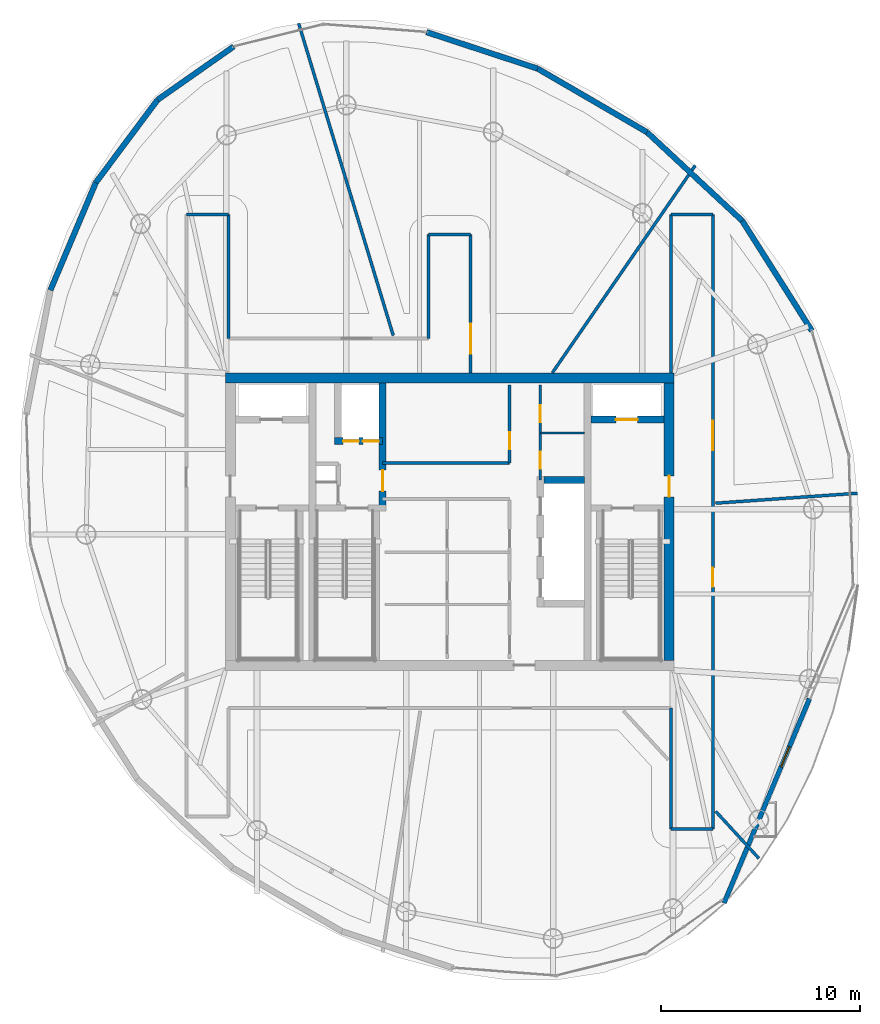
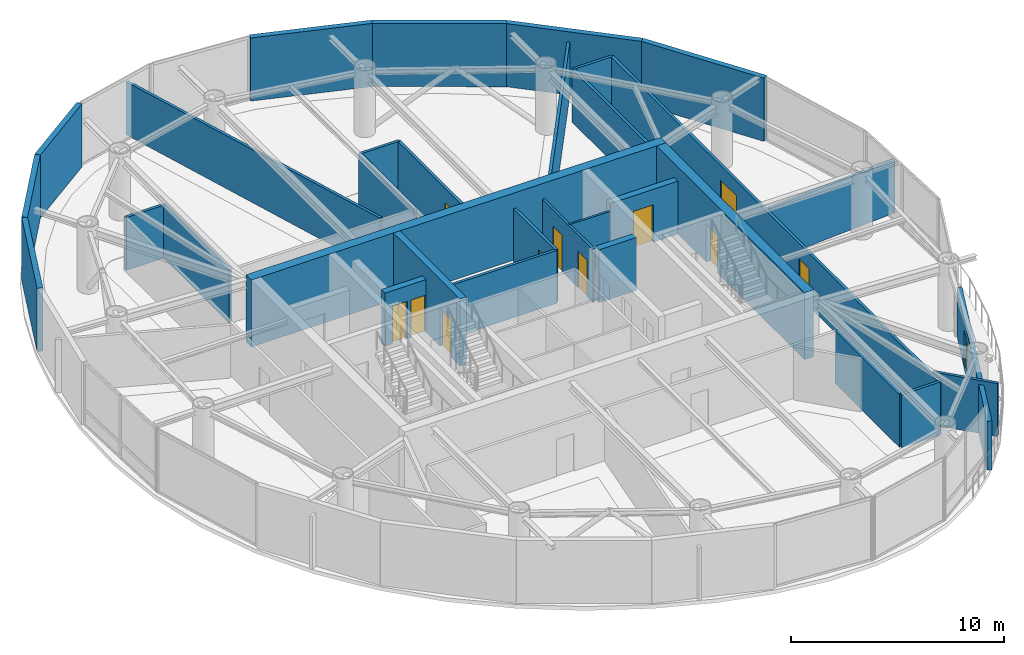
# One storey, part 18 of 23: 32 walls, 12 doors, 12 openings.
"""IFC4 building model written with IfcOpenShell, lengths in metres."""

from ifc_helpers import new_model, si_unit, direction, frame, frame_2d, origin, place, context, subcontext, project, spatial, rectangle, extrude, material, layer, layer_set, type_object, element, fill, save


model = new_model("IFC4")

# Units and contexts
model_context = context("Model", 3, precision=1e-05, world=origin(), true_north=direction((0.0, 1.0)))
body_context = subcontext(model_context, "Body", "Model", "MODEL_VIEW")
ifc_project = project(units=[si_unit("LENGTHUNIT", "METRE"), si_unit("AREAUNIT", "SQUARE_METRE"), si_unit("VOLUMEUNIT", "CUBIC_METRE"), si_unit("PLANEANGLEUNIT", "RADIAN"), si_unit("MASSUNIT", "GRAM", prefix="KILO")], contexts=[model_context])

# Site, building, storey
site_placement = place(None, origin())
site = spatial("IfcSite", under=ifc_project, at=site_placement, CompositionType="ELEMENT")
building_placement = place(site_placement, origin())
building = spatial("IfcBuilding", under=site, at=building_placement, Name="Bramvorn Convention Spire", CompositionType="ELEMENT")
storey_placement = place(building_placement, frame((0.0, 0.0, 295.949951171875)))
storey = spatial("IfcBuildingStorey", under=building, at=storey_placement, Name="L75", CompositionType="ELEMENT", Elevation=295.949951171875)

# Wall
ifc_material_1 = material(Name="Concrete C50/60", Category="concrete")
ifc_layer_1 = layer(ifc_material_1, 0.5)
ifc_layer_set_1 = layer_set([ifc_layer_1], Name="Concrete C50/60 - WL-CORE-500")
wall_type_1 = type_object("IfcWallType", Name="WL-CORE-500", PredefinedType="SHEAR", material=ifc_layer_set_1)
wall_1_placement = place(storey_placement, frame((26.75, 33.199951171875, 0.0), z_axis=(0.0, 0.0, 1.0), x_axis=(1.0, 0.0, 0.0)))
element("IfcWall", 1, at=wall_1_placement, inside=storey, type_object=wall_type_1, Name="L75 North RC core shear wall", PredefinedType="SHEAR", context=body_context, shape_type="SweptSolid", body=[
    extrude(rectangle(XDim=22.5, YDim=0.5, at=frame_2d((11.25, 0.0))), origin(), (0.0, 0.0, 1.0), 3.85009765625),
])

# Wall, opening, door
wall_2_placement = place(storey_placement, frame((49.0, 19.050048828125, 0.0), z_axis=(0.0, 0.0, 1.0), x_axis=(0.0, 1.0, 0.0)))
wall_2 = element("IfcWall", 2, at=wall_2_placement, inside=storey, type_object=wall_type_1, Name="L75 East RC core shear wall", PredefinedType="SHEAR", context=body_context, shape_type="SweptSolid", body=[
    extrude(rectangle(XDim=13.89990234375, YDim=0.5, at=frame_2d((6.949951171875, 0.0))), origin(), (0.0, 0.0, 1.0), 3.85009765625),
])
opening_1_placement = place(wall_2_placement, frame((8.199951171875, 0.0, 0.0)))
opening_1 = element("IfcOpeningElement", 3, at=opening_1_placement, cuts=wall_2, Name="Opening DL-105", PredefinedType="OPENING", context=body_context, shape_type="SweptSolid", body=[
    extrude(rectangle(XDim=1.050048828125, YDim=2.14990234375, at=frame_2d((0.52490234375, 1.074951171875))), frame((0.0, 0.260009765625, 0.0), z_axis=(0.0, -1.0, 0.0), x_axis=(1.0, 0.0, 0.0)), (0.0, 0.0, 1.0), 0.52001953125),
])
ifc_material_2 = material(Name="Smoke-Sealed Fire Lobby Timber-Core Door", Category="wood")
door_type_1 = type_object("IfcDoorType", Name="DR-LOBBY-1050", OperationType="NOTDEFINED", PredefinedType="DOOR", material=ifc_material_2)
door_1_placement = place(opening_1_placement, origin())
door_1 = element("IfcDoor", 4, at=door_1_placement, inside=storey, type_object=door_type_1, Name="L75 East Firefighting Lobby corridor door", OperationType="SINGLE_SWING_LEFT", OverallHeight=2.14990234375, OverallWidth=1.050048828125, PredefinedType="DOOR", context=body_context, shape_type="SweptSolid", body=[
    extrude(rectangle(XDim=1.050048828125, YDim=2.14990234375, at=frame_2d((0.52490234375, 1.074951171875))), frame((0.0, 0.02490234375, 0.0), z_axis=(0.0, -1.0, 0.0), x_axis=(1.0, 0.0, 0.0)), (0.0, 0.0, 1.0), 0.050048828125),
])
fill(opening_1, door_1)

ifc_layer_2 = layer(ifc_material_1, 0.35009765625)
ifc_layer_set_2 = layer_set([ifc_layer_2], Name="Concrete C50/60 - WL-CORE-INT-350")
wall_type_2 = type_object("IfcWallType", Name="WL-CORE-INT-350", PredefinedType="SHEAR", material=ifc_layer_set_2)
wall_3_placement = place(storey_placement, frame((45.080078125, 31.1201171875, 0.0), z_axis=(0.0, 0.0, 1.0), x_axis=(1.0, 0.0, 0.0)))
wall_3 = element("IfcWall", 5, at=wall_3_placement, inside=storey, type_object=wall_type_2, Name="L75 FE2 shaft front wall", PredefinedType="SHEAR", context=body_context, shape_type="SweptSolid", body=[
    extrude(rectangle(XDim=3.669921875, YDim=0.35009765625, at=frame_2d((1.8349609375, 0.0))), origin(), (0.0, 0.0, 1.0), 3.0400390625),
])
opening_2_placement = place(wall_3_placement, frame((1.25, 0.0, 0.0)))
opening_2 = element("IfcOpeningElement", 6, at=opening_2_placement, cuts=wall_3, Name="Opening LD-110", PredefinedType="OPENING", context=body_context, shape_type="SweptSolid", body=[
    extrude(rectangle(XDim=1.10009765625, YDim=2.14990234375, at=frame_2d((0.550048828125, 1.074951171875))), frame((0.0, 0.18505859375, 0.0), z_axis=(0.0, -1.0, 0.0), x_axis=(1.0, 0.0, 0.0)), (0.0, 0.0, 1.0), 0.3701171875),
])
ifc_material_3 = material(Name="Firefighting & Service Lift Sliding Landing Door", Category="steel")
door_type_2 = type_object("IfcDoorType", Name="DR-LIFT-LD-1100", OperationType="NOTDEFINED", PredefinedType="DOOR", material=ifc_material_3)
door_2_placement = place(opening_2_placement, origin())
door_2 = element("IfcDoor", 7, at=door_2_placement, inside=storey, type_object=door_type_2, Name="L75 Lift FE2 Sliding Landing Door", OperationType="SLIDING_TO_LEFT", OverallHeight=2.14990234375, OverallWidth=1.10009765625, PredefinedType="DOOR", context=body_context, shape_type="SweptSolid", body=[
    extrude(rectangle(XDim=1.10009765625, YDim=2.14990234375, at=frame_2d((0.550048828125, 1.074951171875))), frame((0.0, 0.02490234375, 0.0), z_axis=(0.0, -1.0, 0.0), x_axis=(1.0, 0.0, 0.0)), (0.0, 0.0, 1.0), 0.050048828125),
])
fill(opening_2, door_2)

wall_4_placement = place(storey_placement, frame((34.639892578125, 26.68994140625, 0.0), z_axis=(0.0, 0.0, 1.0), x_axis=(0.0, 1.0, 0.0)))
wall_4 = element("IfcWall", 8, at=wall_4_placement, inside=storey, type_object=wall_type_2, Name="L75 SV east core shaft wall", PredefinedType="SHEAR", context=body_context, shape_type="SweptSolid", body=[
    extrude(rectangle(XDim=6.260009765625, YDim=0.35009765625, at=frame_2d((3.1298828125, 0.0))), origin(), (0.0, 0.0, 1.0), 3.85009765625),
])
opening_3_placement = place(wall_4_placement, frame((0.85009765625, 0.0, 0.0)))
opening_3 = element("IfcOpeningElement", 9, at=opening_3_placement, cuts=wall_4, Name="Opening DL-105", PredefinedType="OPENING", context=body_context, shape_type="SweptSolid", body=[
    extrude(rectangle(XDim=1.050048828125, YDim=2.14990234375, at=frame_2d((0.52490234375, 1.074951171875))), frame((0.0, 0.18505859375, 0.0), z_axis=(0.0, -1.0, 0.0), x_axis=(1.0, 0.0, 0.0)), (0.0, 0.0, 1.0), 0.3701171875),
])
door_3_placement = place(opening_3_placement, origin())
door_3 = element("IfcDoor", 10, at=door_3_placement, inside=storey, type_object=door_type_1, Name="L75 Core cross-passage door", OperationType="SINGLE_SWING_RIGHT", OverallHeight=2.14990234375, OverallWidth=1.050048828125, PredefinedType="DOOR", context=body_context, shape_type="SweptSolid", body=[
    extrude(rectangle(XDim=1.050048828125, YDim=2.14990234375, at=frame_2d((0.52490234375, 1.074951171875))), frame((0.0, 0.02490234375, 0.0), z_axis=(0.0, -1.0, 0.0), x_axis=(1.0, 0.0, 0.0)), (0.0, 0.0, 1.0), 0.050048828125),
])
fill(opening_3, door_3)

# Wall, openings, doors
wall_5_placement = place(storey_placement, frame((32.22998046875, 30.050048828125, 0.0), z_axis=(0.0, 0.0, 1.0), x_axis=(1.0, 0.0, 0.0)))
wall_5 = element("IfcWall", 11, at=wall_5_placement, inside=storey, type_object=wall_type_2, Name="L75 SV1/SV2 shaft front wall", PredefinedType="SHEAR", context=body_context, shape_type="SweptSolid", body=[
    extrude(rectangle(XDim=2.409912109375, YDim=0.35009765625, at=frame_2d((1.205078125, 0.0))), origin(), (0.0, 0.0, 1.0), 3.0400390625),
])
opening_4_placement = place(wall_5_placement, frame((0.419921875, 0.0, 0.0)))
opening_4 = element("IfcOpeningElement", 12, at=opening_4_placement, cuts=wall_5, Name="Opening LD-080", PredefinedType="OPENING", context=body_context, shape_type="SweptSolid", body=[
    extrude(rectangle(XDim=0.800048828125, YDim=2.14990234375, at=frame_2d((0.39990234375, 1.074951171875))), frame((0.0, 0.18505859375, 0.0), z_axis=(0.0, -1.0, 0.0), x_axis=(1.0, 0.0, 0.0)), (0.0, 0.0, 1.0), 0.3701171875),
])
opening_5_placement = place(wall_5_placement, frame((1.419921875, 0.0, 0.0)))
opening_5 = element("IfcOpeningElement", 13, at=opening_5_placement, cuts=wall_5, Name="Opening LD-080", PredefinedType="OPENING", context=body_context, shape_type="SweptSolid", body=[
    extrude(rectangle(XDim=0.800048828125, YDim=2.14990234375, at=frame_2d((0.39990234375, 1.074951171875))), frame((0.0, 0.18505859375, 0.0), z_axis=(0.0, -1.0, 0.0), x_axis=(1.0, 0.0, 0.0)), (0.0, 0.0, 1.0), 0.3701171875),
])
ifc_material_4 = material(Name="Service Lift Bi-Parting Landing Door", Category="steel")
door_type_3 = type_object("IfcDoorType", Name="DR-LIFT-LD-800", OperationType="NOTDEFINED", PredefinedType="DOOR", material=ifc_material_4)
door_4_placement = place(opening_4_placement, origin())
door_4 = element("IfcDoor", 14, at=door_4_placement, inside=storey, type_object=door_type_3, Name="L75 Lift SV1 Sliding Landing Door", OperationType="SLIDING_TO_LEFT", OverallHeight=2.14990234375, OverallWidth=0.800048828125, PredefinedType="DOOR", context=body_context, shape_type="SweptSolid", body=[
    extrude(rectangle(XDim=0.800048828125, YDim=2.14990234375, at=frame_2d((0.39990234375, 1.074951171875))), frame((0.0, 0.02490234375, 0.0), z_axis=(0.0, -1.0, 0.0), x_axis=(1.0, 0.0, 0.0)), (0.0, 0.0, 1.0), 0.050048828125),
])
fill(opening_4, door_4)
door_5_placement = place(opening_5_placement, origin())
door_5 = element("IfcDoor", 15, at=door_5_placement, inside=storey, type_object=door_type_3, Name="L75 Lift SV2 Sliding Landing Door", OperationType="SLIDING_TO_LEFT", OverallHeight=2.14990234375, OverallWidth=0.800048828125, PredefinedType="DOOR", context=body_context, shape_type="SweptSolid", body=[
    extrude(rectangle(XDim=0.800048828125, YDim=2.14990234375, at=frame_2d((0.39990234375, 1.074951171875))), frame((0.0, 0.02490234375, 0.0), z_axis=(0.0, -1.0, 0.0), x_axis=(1.0, 0.0, 0.0)), (0.0, 0.0, 1.0), 0.050048828125),
])
fill(opening_5, door_5)

# Walls
wall_6_placement = place(storey_placement, frame((42.719970703125, 28.10009765625, 0.0), z_axis=(0.0, 0.0, 1.0), x_axis=(1.0, 0.0, 0.0)))
element("IfcWall", 16, at=wall_6_placement, inside=storey, type_object=wall_type_2, Name="L75 High-rise lift bank north wall", PredefinedType="SHEAR", context=body_context, shape_type="SweptSolid", body=[
    extrude(rectangle(XDim=2.030029296875, YDim=0.35009765625, at=frame_2d((1.01513671875, 0.0))), origin(), (0.0, 0.0, 1.0), 3.0400390625),
])
ifc_material_5 = material(Name="Precast Concrete C40/50 with Bronze Terracotta Rainscreen", Category="masonry")
ifc_layer_3 = layer(ifc_material_5, 0.300048828125)
ifc_layer_set_3 = layer_set([ifc_layer_3], Name="Precast Concrete C40/50 with Bronze Terracotta Rainscreen - WL-EXT-BRONZE-300")
wall_type_3 = type_object("IfcWallType", Name="WL-EXT-BRONZE-300", PredefinedType="SOLIDWALL", material=ifc_layer_set_3)
wall_7_placement = place(storey_placement, frame((52.6728515625, 41.091796875, 0.0), z_axis=(0.0, 0.0, 1.0), x_axis=(0.534811791723, -0.844971211009, 0.0)))
element("IfcWall", 17, at=wall_7_placement, inside=storey, type_object=wall_type_3, Name="L75 expressed bronze Gothic lancet pier wall 07", PredefinedType="SOLIDWALL", context=body_context, shape_type="SweptSolid", body=[
    extrude(rectangle(XDim=6.527099609375, YDim=0.280029296875, at=frame_2d((3.263671875, 0.0))), origin(), (0.0, 0.0, 1.0), 3.625),
])
wall_8_placement = place(storey_placement, frame((47.8955078125, 45.537841796875, 0.0), z_axis=(0.0, 0.0, 1.0), x_axis=(0.732033566459, -0.681268564942, 0.0)))
element("IfcWall", 18, at=wall_8_placement, inside=storey, type_object=wall_type_3, Name="L75 expressed bronze Gothic lancet pier wall 08", PredefinedType="SOLIDWALL", context=body_context, shape_type="SweptSolid", body=[
    extrude(rectangle(XDim=6.526123046875, YDim=0.280029296875, at=frame_2d((3.26318359375, 0.0))), origin(), (0.0, 0.0, 1.0), 3.625),
])
wall_9_placement = place(storey_placement, frame((42.40966796875, 48.726806640625, 0.0), z_axis=(0.0, 0.0, 1.0), x_axis=(0.864539843758, -0.502564283007, 0.0)))
element("IfcWall", 19, at=wall_9_placement, inside=storey, type_object=wall_type_3, Name="L75 expressed bronze Gothic lancet pier wall 09", PredefinedType="SOLIDWALL", context=body_context, shape_type="SweptSolid", body=[
    extrude(rectangle(XDim=6.345458984375, YDim=0.280029296875, at=frame_2d((3.1728515625, 0.0))), origin(), (0.0, 0.0, 1.0), 3.625),
])
wall_10_placement = place(storey_placement, frame((36.8427734375, 50.556396484375, 0.0), z_axis=(0.0, 0.0, 1.0), x_axis=(0.950008094352, -0.312225272304, 0.0)))
element("IfcWall", 20, at=wall_10_placement, inside=storey, type_object=wall_type_3, Name="L75 expressed bronze Gothic lancet pier wall 10", PredefinedType="SOLIDWALL", context=body_context, shape_type="SweptSolid", body=[
    extrude(rectangle(XDim=5.85986328125, YDim=0.280029296875, at=frame_2d((2.929931640625, 0.0))), origin(), (0.0, 0.0, 1.0), 3.625),
])
wall_11_placement = place(storey_placement, frame((23.3544921875, 47.1650390625, 0.0), z_axis=(0.0, 0.0, 1.0), x_axis=(0.819177657249, 0.573539855515, 0.0)))
element("IfcWall", 21, at=wall_11_placement, inside=storey, type_object=wall_type_3, Name="L75 expressed bronze Gothic lancet pier wall 13", PredefinedType="SOLIDWALL", context=body_context, shape_type="SweptSolid", body=[
    extrude(rectangle(XDim=4.650390625, YDim=0.280029296875, at=frame_2d((2.3251953125, 0.0))), origin(), (0.0, 0.0, 1.0), 3.625),
])
wall_12_placement = place(storey_placement, frame((20.255859375, 43.014892578125, 0.0), z_axis=(0.0, 0.0, 1.0), x_axis=(0.598271477018, 0.801293479186, 0.0)))
element("IfcWall", 22, at=wall_12_placement, inside=storey, type_object=wall_type_3, Name="L75 expressed bronze Gothic lancet pier wall 14", PredefinedType="SOLIDWALL", context=body_context, shape_type="SweptSolid", body=[
    extrude(rectangle(XDim=5.17919921875, YDim=0.280029296875, at=frame_2d((2.589599609375, 0.0))), origin(), (0.0, 0.0, 1.0), 3.625),
])
wall_13_placement = place(storey_placement, frame((17.97509765625, 37.616943359375, 0.0), z_axis=(0.0, 0.0, 1.0), x_axis=(0.389207748927, 0.92115000308, 0.0)))
element("IfcWall", 23, at=wall_13_placement, inside=storey, type_object=wall_type_3, Name="L75 expressed bronze Gothic lancet pier wall 15", PredefinedType="SOLIDWALL", context=body_context, shape_type="SweptSolid", body=[
    extrude(rectangle(XDim=5.860107421875, YDim=0.280029296875, at=frame_2d((2.93017578125, 0.0))), origin(), (0.0, 0.0, 1.0), 3.625),
])

# Wall, opening, door
ifc_material_6 = material(Name="Precast Concrete C40/50 Insulated Terrace Wall", Category="concrete")
ifc_layer_4 = layer(ifc_material_6, 0.280029296875)
ifc_layer_set_4 = layer_set([ifc_layer_4], Name="Precast Concrete C40/50 Insulated Terrace Wall - WL-EXT-TERR-280")
wall_type_4 = type_object("IfcWallType", Name="WL-EXT-TERR-280", PredefinedType="SOLIDWALL", material=ifc_layer_set_4)
wall_14_placement = place(storey_placement, frame((56.044677734375, 17.125732421875, 0.0), z_axis=(0.0, 0.0, 1.0), x_axis=(-0.385512828822, -0.922702475782, 0.0)))
wall_14 = element("IfcWall", 24, at=wall_14_placement, inside=storey, type_object=wall_type_4, Name="L75 Sky Garden recessed terrace wall", PredefinedType="SOLIDWALL", context=body_context, shape_type="SweptSolid", body=[
    extrude(rectangle(XDim=11.104736328125, YDim=0.239990234375, at=frame_2d((5.55224609375, 0.0))), origin(), (0.0, 0.0, 1.0), 2.800048828125),
])
opening_6_placement = place(wall_14_placement, frame((2.601318359375, 0.0, 0.0)))
opening_6 = element("IfcOpeningElement", 25, at=opening_6_placement, cuts=wall_14, Name="Opening DE05", PredefinedType="OPENING", context=body_context, shape_type="SweptSolid", body=[
    extrude(rectangle(XDim=1.10009765625, YDim=2.199951171875, at=frame_2d((0.550048828125, 1.10009765625))), frame((0.0, 0.1298828125, 0.0), z_axis=(0.0, -1.0, 0.0), x_axis=(1.0, 0.0, 0.0)), (0.0, 0.0, 1.0), 0.260009765625),
])
ifc_material_7 = material(Name="Anodised Bronze Aluminium & Laminated Safety Glass", Category="aluminium")
door_type_4 = type_object("IfcDoorType", Name="DR-EXT-1100X2200", OperationType="NOTDEFINED", PredefinedType="DOOR", material=ifc_material_7)
door_6_placement = place(opening_6_placement, origin())
door_6 = element("IfcDoor", 26, at=door_6_placement, inside=storey, type_object=door_type_4, Name="L75 Sky Garden Lounge exterior terrace door", OperationType="SINGLE_SWING_LEFT", OverallHeight=2.199951171875, OverallWidth=1.10009765625, PredefinedType="DOOR", context=body_context, shape_type="SweptSolid", body=[
    extrude(rectangle(XDim=1.10009765625, YDim=2.199951171875, at=frame_2d((0.550048828125, 1.10009765625))), frame((0.0, 0.02490234375, 0.0), z_axis=(0.0, -1.0, 0.0), x_axis=(1.0, 0.0, 0.0)), (0.0, 0.0, 1.0), 0.050048828125),
])
fill(opening_6, door_6)

# Wall
ifc_material_8 = material(Name="Lightweight En-Suite & Wet-Wall Partition", Category="gypsum")
ifc_layer_5 = layer(ifc_material_8, 0.110107421875)
ifc_layer_set_5 = layer_set([ifc_layer_5], Name="Lightweight En-Suite & Wet-Wall Partition - WL-PART-110")
wall_type_5 = type_object("IfcWallType", Name="WL-PART-110", PredefinedType="PARTITIONING", material=ifc_layer_set_5)
wall_15_placement = place(storey_placement, frame((42.550048828125, 30.449951171875, 0.0), z_axis=(0.0, 0.0, 1.0), x_axis=(1.0, 0.0, 0.0)))
element("IfcWall", 27, at=wall_15_placement, inside=storey, type_object=wall_type_5, Name="L75 KB NE divider", PredefinedType="PARTITIONING", context=body_context, shape_type="SweptSolid", body=[
    extrude(rectangle(XDim=2.199951171875, YDim=0.110107421875, at=frame_2d((1.10009765625, 0.0))), origin(), (0.0, 0.0, 1.0), 3.0400390625),
])

# Wall, openings, doors
ifc_material_9 = material(Name="Metal-Stud Demountable Office Partition", Category="gypsum")
ifc_layer_6 = layer(ifc_material_9, 0.1298828125)
ifc_layer_set_6 = layer_set([ifc_layer_6], Name="Metal-Stud Demountable Office Partition - WL-PART-130")
wall_type_6 = type_object("IfcWallType", Name="WL-PART-130", PredefinedType="PARTITIONING", material=ifc_layer_set_6)
wall_16_placement = place(storey_placement, frame((42.550048828125, 28.10009765625, 0.0), z_axis=(0.0, 0.0, 1.0), x_axis=(0.0, 1.0, 0.0)))
wall_16 = element("IfcWall", 28, at=wall_16_placement, inside=storey, type_object=wall_type_6, Name="L75 KB NE split wall", PredefinedType="PARTITIONING", context=body_context, shape_type="SweptSolid", body=[
    extrude(rectangle(XDim=4.75, YDim=0.1298828125, at=frame_2d((2.375, 0.0))), origin(), (0.0, 0.0, 1.0), 3.0400390625),
])
opening_7_placement = place(wall_16_placement, frame((0.550048828125, 0.0, 0.0)))
opening_7 = element("IfcOpeningElement", 29, at=opening_7_placement, cuts=wall_16, Name="Opening DC-085", PredefinedType="OPENING", context=body_context, shape_type="SweptSolid", body=[
    extrude(rectangle(XDim=0.85009765625, YDim=2.10009765625, at=frame_2d((0.425048828125, 1.050048828125))), frame((0.0, 0.074951171875, 0.0), z_axis=(0.0, -1.0, 0.0), x_axis=(1.0, 0.0, 0.0)), (0.0, 0.0, 1.0), 0.14990234375),
])
opening_8_placement = place(wall_16_placement, frame((2.89990234375, 0.0, 0.0)))
opening_8 = element("IfcOpeningElement", 30, at=opening_8_placement, cuts=wall_16, Name="Opening DC-085", PredefinedType="OPENING", context=body_context, shape_type="SweptSolid", body=[
    extrude(rectangle(XDim=0.85009765625, YDim=2.10009765625, at=frame_2d((0.425048828125, 1.050048828125))), frame((0.0, 0.074951171875, 0.0), z_axis=(0.0, -1.0, 0.0), x_axis=(1.0, 0.0, 0.0)), (0.0, 0.0, 1.0), 0.14990234375),
])
ifc_material_10 = material(Name="Fire-Rated Core Washroom & IDF Door", Category="wood")
door_type_5 = type_object("IfcDoorType", Name="DR-CORE-850", OperationType="NOTDEFINED", PredefinedType="DOOR", material=ifc_material_10)
door_7_placement = place(opening_7_placement, origin())
door_7 = element("IfcDoor", 31, at=door_7_placement, inside=storey, type_object=door_type_5, Name="L75 Core Staff WC door", OperationType="SINGLE_SWING_LEFT", OverallHeight=2.10009765625, OverallWidth=0.85009765625, PredefinedType="DOOR", context=body_context, shape_type="SweptSolid", body=[
    extrude(rectangle(XDim=0.85009765625, YDim=2.10009765625, at=frame_2d((0.425048828125, 1.050048828125))), frame((0.0, 0.02490234375, 0.0), z_axis=(0.0, -1.0, 0.0), x_axis=(1.0, 0.0, 0.0)), (0.0, 0.0, 1.0), 0.050048828125),
])
fill(opening_7, door_7)
door_8_placement = place(opening_8_placement, origin())
door_8 = element("IfcDoor", 32, at=door_8_placement, inside=storey, type_object=door_type_5, Name="L75 Core Data Closet door", OperationType="SINGLE_SWING_LEFT", OverallHeight=2.10009765625, OverallWidth=0.85009765625, PredefinedType="DOOR", context=body_context, shape_type="SweptSolid", body=[
    extrude(rectangle(XDim=0.85009765625, YDim=2.10009765625, at=frame_2d((0.425048828125, 1.050048828125))), frame((0.0, 0.02490234375, 0.0), z_axis=(0.0, -1.0, 0.0), x_axis=(1.0, 0.0, 0.0)), (0.0, 0.0, 1.0), 0.050048828125),
])
fill(opening_8, door_8)

# Wall
ifc_material_11 = material(Name="Acoustic Metal-Stud Tenant/Corridor Partition", Category="gypsum")
ifc_layer_7 = layer(ifc_material_11, 0.14990234375)
ifc_layer_set_7 = layer_set([ifc_layer_7], Name="Acoustic Metal-Stud Tenant/Corridor Partition - WL-PART-150")
wall_type_7 = type_object("IfcWallType", Name="WL-PART-150", PredefinedType="PARTITIONING", material=ifc_layer_set_7)
wall_17_placement = place(storey_placement, frame((34.639892578125, 28.949951171875, 0.0), z_axis=(0.0, 0.0, 1.0), x_axis=(1.0, 0.0, 0.0)))
element("IfcWall", 33, at=wall_17_placement, inside=storey, type_object=wall_type_7, Name="L75 Cross-core passage north wall", PredefinedType="PARTITIONING", context=body_context, shape_type="SweptSolid", body=[
    extrude(rectangle(XDim=6.360107421875, YDim=0.14990234375, at=frame_2d((3.18017578125, 0.0))), origin(), (0.0, 0.0, 1.0), 3.0400390625),
])

# Wall, opening, door
wall_18_placement = place(storey_placement, frame((41.0, 28.949951171875, 0.0), z_axis=(0.0, 0.0, 1.0), x_axis=(0.0, 1.0, 0.0)))
wall_18 = element("IfcWall", 34, at=wall_18_placement, inside=storey, type_object=wall_type_7, Name="L75 Freed north shaft room wall", PredefinedType="PARTITIONING", context=body_context, shape_type="SweptSolid", body=[
    extrude(rectangle(XDim=3.900146484375, YDim=0.14990234375, at=frame_2d((1.9501953125, 0.0))), origin(), (0.0, 0.0, 1.0), 3.0400390625),
])
opening_9_placement = place(wall_18_placement, frame((0.699951171875, 0.0, 0.0)))
opening_9 = element("IfcOpeningElement", 35, at=opening_9_placement, cuts=wall_18, Name="Opening DC-085", PredefinedType="OPENING", context=body_context, shape_type="SweptSolid", body=[
    extrude(rectangle(XDim=0.85009765625, YDim=2.10009765625, at=frame_2d((0.425048828125, 1.050048828125))), frame((0.0, 0.0849609375, 0.0), z_axis=(0.0, -1.0, 0.0), x_axis=(1.0, 0.0, 0.0)), (0.0, 0.0, 1.0), 0.169921875),
])
door_9_placement = place(opening_9_placement, origin())
door_9 = element("IfcDoor", 36, at=door_9_placement, inside=storey, type_object=door_type_5, Name="L75 North core archive door", OperationType="SINGLE_SWING_LEFT", OverallHeight=2.10009765625, OverallWidth=0.85009765625, PredefinedType="DOOR", context=body_context, shape_type="SweptSolid", body=[
    extrude(rectangle(XDim=0.85009765625, YDim=2.10009765625, at=frame_2d((0.425048828125, 1.050048828125))), frame((0.0, 0.02490234375, 0.0), z_axis=(0.0, -1.0, 0.0), x_axis=(1.0, 0.0, 0.0)), (0.0, 0.0, 1.0), 0.050048828125),
])
fill(opening_9, door_9)

# Walls
wall_19_placement = place(storey_placement, frame((26.89990234375, 35.199951171875, 0.0), z_axis=(0.0, 0.0, 1.0), x_axis=(0.0, 1.0, 0.0)))
element("IfcWall", 37, at=wall_19_placement, inside=storey, type_object=wall_type_7, Name="L75 West gallery NE wall", PredefinedType="PARTITIONING", context=body_context, shape_type="SweptSolid", body=[
    extrude(rectangle(XDim=6.199951171875, YDim=0.14990234375, at=frame_2d((3.10009765625, 0.0))), origin(), (0.0, 0.0, 1.0), 3.0400390625),
])
wall_20_placement = place(storey_placement, frame((24.800048828125, 41.39990234375, 0.0), z_axis=(0.0, 0.0, 1.0), x_axis=(1.0, 0.0, 0.0)))
element("IfcWall", 38, at=wall_20_placement, inside=storey, type_object=wall_type_7, Name="L75 West gallery north end", PredefinedType="PARTITIONING", context=body_context, shape_type="SweptSolid", body=[
    extrude(rectangle(XDim=2.099853515625, YDim=0.14990234375, at=frame_2d((1.0498046875, 0.0))), origin(), (0.0, 0.0, 1.0), 3.0400390625),
])

# Wall, openings, doors
wall_21_placement = place(storey_placement, frame((51.199951171875, 10.60009765625, 0.0), z_axis=(0.0, 0.0, 1.0), x_axis=(0.0, 1.0, 0.0)))
wall_21 = element("IfcWall", 39, at=wall_21_placement, inside=storey, type_object=wall_type_7, Name="L75 East N-S gallery outer wall", PredefinedType="PARTITIONING", context=body_context, shape_type="SweptSolid", body=[
    extrude(rectangle(XDim=30.7998046875, YDim=0.14990234375, at=frame_2d((15.39990234375, 0.0))), origin(), (0.0, 0.0, 1.0), 3.0400390625),
])
opening_10_placement = place(wall_21_placement, frame((18.976318359375, 0.0, 0.0)))
opening_10 = element("IfcOpeningElement", 40, at=opening_10_placement, cuts=wall_21, Name="Opening DC-150", PredefinedType="OPENING", context=body_context, shape_type="SweptSolid", body=[
    extrude(rectangle(XDim=1.5, YDim=2.199951171875, at=frame_2d((0.75, 1.10009765625))), frame((0.0, 0.0849609375, 0.0), z_axis=(0.0, -1.0, 0.0), x_axis=(1.0, 0.0, 0.0)), (0.0, 0.0, 1.0), 0.169921875),
])
opening_11_placement = place(wall_21_placement, frame((12.13525390625, 0.0, 0.0)))
opening_11 = element("IfcOpeningElement", 41, at=opening_11_placement, cuts=wall_21, Name="Opening DH-095", PredefinedType="OPENING", context=body_context, shape_type="SweptSolid", body=[
    extrude(rectangle(XDim=0.949951171875, YDim=2.14990234375, at=frame_2d((0.47509765625, 1.074951171875))), frame((0.0, 0.0849609375, 0.0), z_axis=(0.0, -1.0, 0.0), x_axis=(1.0, 0.0, 0.0)), (0.0, 0.0, 1.0), 0.169921875),
])
ifc_material_12 = material(Name="Double-Leaf Smoke-Control Corridor Door", Category="wood")
door_type_6 = type_object("IfcDoorType", Name="DR-COR-1500", OperationType="NOTDEFINED", PredefinedType="DOOR", material=ifc_material_12)
door_10_placement = place(opening_10_placement, origin())
door_10 = element("IfcDoor", 42, at=door_10_placement, inside=storey, type_object=door_type_6, Name="L75 Signature Sky Dining Restaurant 1 1 door", OperationType="DOUBLE_DOOR_SINGLE_SWING", OverallHeight=2.199951171875, OverallWidth=1.5, PredefinedType="DOOR", context=body_context, shape_type="SweptSolid", body=[
    extrude(rectangle(XDim=1.5, YDim=2.199951171875, at=frame_2d((0.75, 1.10009765625))), frame((0.0, 0.02490234375, 0.0), z_axis=(0.0, -1.0, 0.0), x_axis=(1.0, 0.0, 0.0)), (0.0, 0.0, 1.0), 0.050048828125),
])
fill(opening_10, door_10)
ifc_material_13 = material(Name="Solid-Core Acoustic Guestroom Entry Door", Category="wood")
door_type_7 = type_object("IfcDoorType", Name="DR-HOTEL-950", OperationType="NOTDEFINED", PredefinedType="DOOR", material=ifc_material_13)
door_11_placement = place(opening_11_placement, origin())
door_11 = element("IfcDoor", 43, at=door_11_placement, inside=storey, type_object=door_type_7, Name="L75 Sky Garden Lounge door", OperationType="SINGLE_SWING_RIGHT", OverallHeight=2.14990234375, OverallWidth=0.949951171875, PredefinedType="DOOR", context=body_context, shape_type="SweptSolid", body=[
    extrude(rectangle(XDim=0.949951171875, YDim=2.14990234375, at=frame_2d((0.47509765625, 1.074951171875))), frame((0.0, 0.02490234375, 0.0), z_axis=(0.0, -1.0, 0.0), x_axis=(1.0, 0.0, 0.0)), (0.0, 0.0, 1.0), 0.050048828125),
])
fill(opening_11, door_11)

# Walls
wall_22_placement = place(storey_placement, frame((49.10009765625, 10.60009765625, 0.0), z_axis=(0.0, 0.0, 1.0), x_axis=(0.0, 1.0, 0.0)))
element("IfcWall", 44, at=wall_22_placement, inside=storey, type_object=wall_type_7, Name="L75 East gallery SW wall", PredefinedType="PARTITIONING", context=body_context, shape_type="SweptSolid", body=[
    extrude(rectangle(XDim=6.0498046875, YDim=0.14990234375, at=frame_2d((3.02490234375, 0.0))), origin(), (0.0, 0.0, 1.0), 3.0400390625),
])
wall_23_placement = place(storey_placement, frame((49.10009765625, 33.449951171875, 0.0), z_axis=(0.0, 0.0, 1.0), x_axis=(0.0, 1.0, 0.0)))
element("IfcWall", 45, at=wall_23_placement, inside=storey, type_object=wall_type_7, Name="L75 East gallery NW wall", PredefinedType="PARTITIONING", context=body_context, shape_type="SweptSolid", body=[
    extrude(rectangle(XDim=7.949951171875, YDim=0.14990234375, at=frame_2d((3.97509765625, 0.0))), origin(), (0.0, 0.0, 1.0), 3.0400390625),
])
for number, where, z_axis, x_axis, name in (
    (46, (49.10009765625, 10.60009765625, 0.0), (0.0, 0.0, 1.0), (1.0, 0.0, 0.0), "L75 East gallery south end"),
    (47, (49.10009765625, 41.39990234375, 0.0), (0.0, 0.0, 1.0), (1.0, 0.0, 0.0), "L75 East gallery north end"),
):
    element("IfcWall", number, at=place(storey_placement, frame(where, z_axis=z_axis, x_axis=x_axis)), inside=storey, type_object=wall_type_7, Name=name, PredefinedType="PARTITIONING", context=body_context, shape_type="SweptSolid", body=[
        extrude(rectangle(XDim=2.099853515625, YDim=0.14990234375, at=frame_2d((1.0498046875, 0.0))), origin(), (0.0, 0.0, 1.0), 3.0400390625),
    ])
wall_24_placement = place(storey_placement, frame((36.949951171875, 35.199951171875, 0.0), z_axis=(0.0, 0.0, 1.0), x_axis=(0.0, 1.0, 0.0)))
element("IfcWall", 48, at=wall_24_placement, inside=storey, type_object=wall_type_7, Name="L75 North spur west wall", PredefinedType="PARTITIONING", context=body_context, shape_type="SweptSolid", body=[
    extrude(rectangle(XDim=5.199951171875, YDim=0.14990234375, at=frame_2d((2.60009765625, 0.0))), origin(), (0.0, 0.0, 1.0), 3.0400390625),
])

# Wall, opening, door
wall_25_placement = place(storey_placement, frame((39.050048828125, 33.449951171875, 0.0), z_axis=(0.0, 0.0, 1.0), x_axis=(0.0, 1.0, 0.0)))
wall_25 = element("IfcWall", 49, at=wall_25_placement, inside=storey, type_object=wall_type_7, Name="L75 North spur east wall", PredefinedType="PARTITIONING", context=body_context, shape_type="SweptSolid", body=[
    extrude(rectangle(XDim=6.949951171875, YDim=0.14990234375, at=frame_2d((3.47509765625, 0.0))), origin(), (0.0, 0.0, 1.0), 3.0400390625),
])
opening_12_placement = place(wall_25_placement, frame((0.987548828125, 0.0, 0.0)))
opening_12 = element("IfcOpeningElement", 50, at=opening_12_placement, cuts=wall_25, Name="Opening DC-150", PredefinedType="OPENING", context=body_context, shape_type="SweptSolid", body=[
    extrude(rectangle(XDim=1.5, YDim=2.199951171875, at=frame_2d((0.75, 1.10009765625))), frame((0.0, 0.0849609375, 0.0), z_axis=(0.0, -1.0, 0.0), x_axis=(1.0, 0.0, 0.0)), (0.0, 0.0, 1.0), 0.169921875),
])
door_12_placement = place(opening_12_placement, origin())
door_12 = element("IfcDoor", 51, at=door_12_placement, inside=storey, type_object=door_type_6, Name="L75 Private Champagne Dining Salon 2 2 door", OperationType="DOUBLE_DOOR_SINGLE_SWING", OverallHeight=2.199951171875, OverallWidth=1.5, PredefinedType="DOOR", context=body_context, shape_type="SweptSolid", body=[
    extrude(rectangle(XDim=1.5, YDim=2.199951171875, at=frame_2d((0.75, 1.10009765625))), frame((0.0, 0.02490234375, 0.0), z_axis=(0.0, -1.0, 0.0), x_axis=(1.0, 0.0, 0.0)), (0.0, 0.0, 1.0), 0.050048828125),
])
fill(opening_12, door_12)

# Walls
wall_26_placement = place(storey_placement, frame((36.949951171875, 40.39990234375, 0.0), z_axis=(0.0, 0.0, 1.0), x_axis=(1.0, 0.0, 0.0)))
element("IfcWall", 52, at=wall_26_placement, inside=storey, type_object=wall_type_7, Name="L75 North spur end wall", PredefinedType="PARTITIONING", context=body_context, shape_type="SweptSolid", body=[
    extrude(rectangle(XDim=2.10009765625, YDim=0.14990234375, at=frame_2d((1.050048828125, 0.0))), origin(), (0.0, 0.0, 1.0), 3.0400390625),
])
wall_27_placement = place(storey_placement, frame((51.340087890625, 26.932861328125, 0.0), z_axis=(0.0, 0.0, 1.0), x_axis=(0.99756465594, 0.069747811568, 0.0)))
element("IfcWall", 53, at=wall_27_placement, inside=storey, type_object=wall_type_7, Name="L75 Tenant suite partition 1", PredefinedType="PARTITIONING", context=body_context, shape_type="SweptSolid", body=[
    extrude(rectangle(XDim=7.140625, YDim=0.14990234375, at=frame_2d((3.5703125, 0.0))), origin(), (0.0, 0.0, 1.0), 3.0400390625),
])
wall_28_placement = place(storey_placement, frame((43.147705078125, 33.469970703125, 0.0), z_axis=(0.0, 0.0, 1.0), x_axis=(0.56742778263, 0.823423166725, 0.0)))
element("IfcWall", 54, at=wall_28_placement, inside=storey, type_object=wall_type_7, Name="L75 Tenant suite partition 2", PredefinedType="PARTITIONING", context=body_context, shape_type="SweptSolid", body=[
    extrude(rectangle(XDim=12.63916015625, YDim=0.14990234375, at=frame_2d((6.319580078125, 0.0))), origin(), (0.0, 0.0, 1.0), 3.0400390625),
])
wall_29_placement = place(storey_placement, frame((35.169921875, 35.340087890625, 0.0), z_axis=(0.0, 0.0, 1.0), x_axis=(-0.289993319939, 0.957028669576, 0.0)))
element("IfcWall", 55, at=wall_29_placement, inside=storey, type_object=wall_type_7, Name="L75 Tenant suite partition 3", PredefinedType="PARTITIONING", context=body_context, shape_type="SweptSolid", body=[
    extrude(rectangle(XDim=16.367919921875, YDim=0.14990234375, at=frame_2d((8.18408203125, 0.0))), origin(), (0.0, 0.0, 1.0), 3.0400390625),
])
wall_30_placement = place(storey_placement, frame((51.340087890625, 11.478271484375, 0.0), z_axis=(0.0, 0.0, 1.0), x_axis=(0.676513721028, -0.736430027403, 0.0)))
element("IfcWall", 56, at=wall_30_placement, inside=storey, type_object=wall_type_7, Name="L75 Tenant suite partition 7", PredefinedType="PARTITIONING", context=body_context, shape_type="SweptSolid", body=[
    extrude(rectangle(XDim=3.206787109375, YDim=0.14990234375, at=frame_2d((1.603515625, 0.0))), origin(), (0.0, 0.0, 1.0), 3.0400390625),
])

save(model, "model.ifc")
